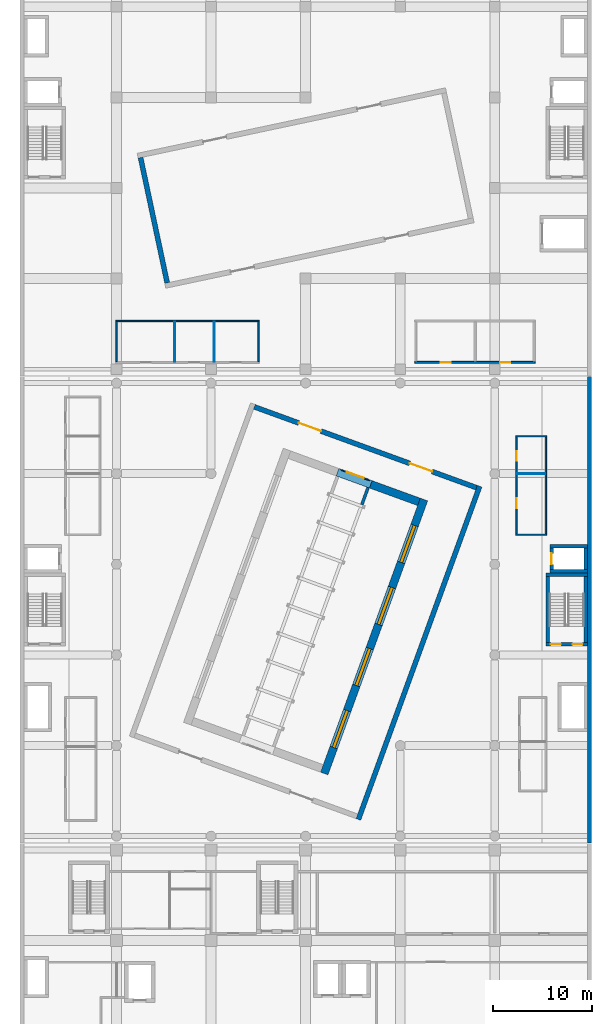
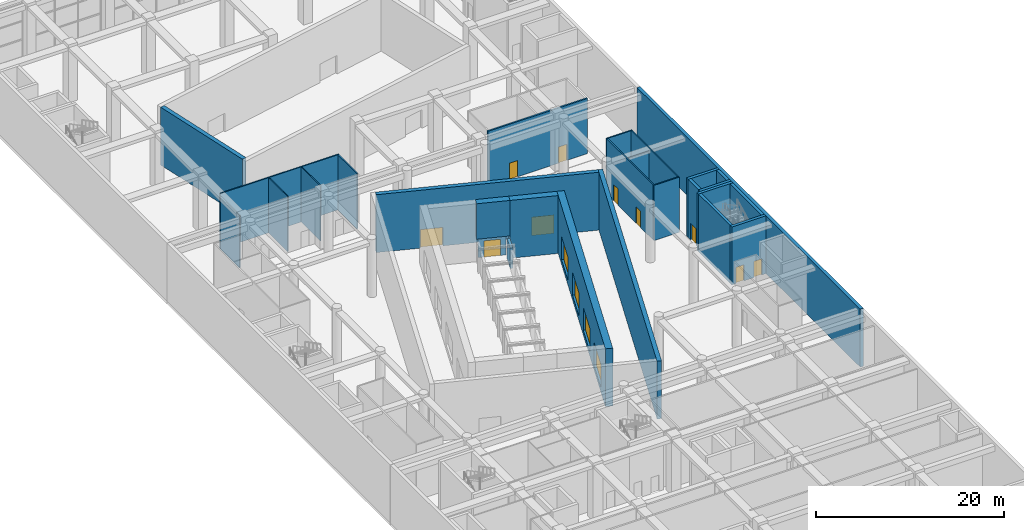
# One storey, part 18 of 36: 28 walls, 10 doors, 4 windows, 14 openings.
"""IFC4 building model written with IfcOpenShell, lengths in metres."""

import ifcopenshell
import ifcopenshell.guid

model = None  # the IFC model being written
_history = None  # IfcOwnerHistory: only IFC2X3 demands one
_inside = {}  # id of a spatial element -> (the spatial element, [elements in it])
_under = {}  # id of a project, library or spatial element -> (it, [spatial elements below it])
_declared = {}  # id of a project -> (the project, [libraries it declares])
_typed = {}  # id of a type object -> (the type object, [elements of that type])
_made_of = {}  # id of a material, layer set ... -> (it, [elements and type objects made of it])


def new_model(schema):
    """Start an empty IFC model of exactly this schema.

    Asked for "IFC4X3", IfcOpenShell would pick the latest addendum, in which some entities
    have other attributes; the version numbers below select the first issue.
    IFC2X3 requires an IfcOwnerHistory on every rooted entity: one is made here for all.
    """
    global model, _history
    if schema == "IFC4X3":
        model = ifcopenshell.file(schema_version=(4, 3, 0, 0))
    else:
        model = ifcopenshell.file(schema=schema)
    _inside.clear()
    _under.clear()
    _declared.clear()
    _typed.clear()
    _made_of.clear()
    _history = None
    if model.schema == "IFC2X3":
        org = make("IfcOrganization", Name="unknown")
        user = make(
            "IfcPersonAndOrganization",
            ThePerson=make("IfcPerson", FamilyName="unknown"),
            TheOrganization=org,
        )
        app = make(
            "IfcApplication",
            ApplicationDeveloper=org,
            Version="unknown",
            ApplicationFullName="unknown",
            ApplicationIdentifier="unknown",
        )
        _history = make(
            "IfcOwnerHistory",
            OwningUser=user,
            OwningApplication=app,
            ChangeAction="ADDED",
            CreationDate=0,
        )
    return model


def make(cls, **values):
    """One entity of the class cls with the attributes given. An attribute that is None is left unset."""
    return model.create_entity(
        cls, **{name: value for name, value in values.items() if value is not None}
    )


def rooted(cls, **values):
    """An entity with a GlobalId (a new one), such as an element, a storey or a relation."""
    return make(cls, GlobalId=ifcopenshell.guid.new(), OwnerHistory=_history, **values)


def si_unit(unit_type, name, prefix=None):
    """IfcSIUnit, for example si_unit("LENGTHUNIT", "METRE", prefix="MILLI")."""
    return make("IfcSIUnit", UnitType=unit_type, Prefix=prefix, Name=name)


def assignment(units):
    """IfcUnitAssignment: the units of a project."""
    return None if units is None else make("IfcUnitAssignment", Units=units)


def point(xyz):
    """IfcCartesianPoint."""
    return None if xyz is None else make("IfcCartesianPoint", Coordinates=xyz)


def direction(xyz):
    """IfcDirection."""
    return None if xyz is None else make("IfcDirection", DirectionRatios=xyz)


def frame(location, z_axis=None, x_axis=None):
    """IfcAxis2Placement3D, a coordinate frame: its origin and axes. An axis left out is left unset."""
    return make(
        "IfcAxis2Placement3D",
        Location=point(location),
        Axis=direction(z_axis),
        RefDirection=direction(x_axis),
    )


def frame_2d(location, x_axis=None):
    """IfcAxis2Placement2D, a coordinate frame in the plane: its origin and x axis."""
    return make(
        "IfcAxis2Placement2D", Location=point(location), RefDirection=direction(x_axis)
    )


def origin():
    """The frame at (0, 0, 0) with its axes left unset."""
    return frame((0.0, 0.0, 0.0))


def place(relative_to, where):
    """IfcLocalPlacement: puts the frame where relative to a parent placement (None: the world)."""
    return make(
        "IfcLocalPlacement", PlacementRelTo=relative_to, RelativePlacement=where
    )


def context(
    kind, dimensions, precision=None, world=None, true_north=None, identifier=None
):
    """IfcGeometricRepresentationContext, for example the 3D "Model" context."""
    return make(
        "IfcGeometricRepresentationContext",
        ContextIdentifier=identifier,
        ContextType=kind,
        CoordinateSpaceDimension=dimensions,
        Precision=precision,
        WorldCoordinateSystem=world,
        TrueNorth=true_north,
    )


def subcontext(parent, identifier, kind, view, scale=None):
    """IfcGeometricRepresentationSubContext, for example "Body" below "Model"."""
    return make(
        "IfcGeometricRepresentationSubContext",
        ContextIdentifier=identifier,
        ContextType=kind,
        ParentContext=parent,
        TargetScale=scale,
        TargetView=view,
    )


def project(units=None, contexts=None):
    """IfcProject with its units and contexts."""
    return rooted(
        "IfcProject",
        Name="project",
        RepresentationContexts=contexts,
        UnitsInContext=assignment(units),
    )


def spatial(cls, under=None, at=None, **own):
    """A site, building, storey or space (cls), placed at a placement, below another one or the project."""
    s = rooted(cls, ObjectPlacement=at, **own)
    if under is not None:
        _under.setdefault(under.id(), (under, []))[1].append(s)
    return s


def profile(cls, at=None, kind="AREA", **sizes):
    """A parametric profile (cls). Its sizes go by their IFC names, for example OverallWidth=200.0."""
    return make(cls, ProfileType=kind, Position=at, **sizes)


def rectangle(**sizes):
    """IfcRectangleProfileDef."""
    return profile("IfcRectangleProfileDef", **sizes)


def extrude(swept, where, along, depth):
    """IfcExtrudedAreaSolid: the profile swept, set in the frame where, extruded along a direction by depth."""
    return make(
        "IfcExtrudedAreaSolid",
        SweptArea=swept,
        Position=where,
        ExtrudedDirection=direction(along),
        Depth=depth,
    )


def shape(context_of_items, identifier, shape_type, items):
    """IfcShapeRepresentation: the items that make up one representation, for example the "Body"."""
    return make(
        "IfcShapeRepresentation",
        ContextOfItems=context_of_items,
        RepresentationIdentifier=identifier,
        RepresentationType=shape_type,
        Items=items,
    )


def material(Name=None, Category=None):
    """IfcMaterial."""
    return make("IfcMaterial", Name=Name, Category=Category)


def layer(
    of_material, thickness, ventilated=None, Name=None, Category=None, Priority=None
):
    """IfcMaterialLayer: one layer of a wall or slab, of a material (None: an air gap)."""
    return make(
        "IfcMaterialLayer",
        Material=of_material,
        LayerThickness=thickness,
        IsVentilated=ventilated,
        Name=Name,
        Category=Category,
        Priority=Priority,
    )


def layer_set(layers, Name=None):
    """IfcMaterialLayerSet."""
    return make("IfcMaterialLayerSet", MaterialLayers=layers, LayerSetName=Name)


def made_of(thing, what):
    """Note that an element or type object is made of a material, layer set ...; save() writes the relation."""
    if what is not None:
        _made_of.setdefault(what.id(), (what, []))[1].append(thing)
    return thing


def type_object(cls, material=None, **own):
    """A type object (cls), such as IfcWallType, which elements share."""
    return made_of(rooted(cls, **own), material)


def element(
    cls,
    number,
    at=None,
    inside=None,
    cuts=None,
    type_object=None,
    material=None,
    context=None,
    identifier="Body",
    shape_type=None,
    held_by="IfcProductDefinitionShape",
    body=None,
    shapes=None,
    **own,
):
    """One element of the class cls, such as IfcWall. Its Tag is "e" and its number.

    at: its placement. inside: the storey or other place that contains it. cuts: it is an
    opening in that element (IfcRelVoidsElement). A single representation is given by context,
    identifier, shape_type and body (its items); several are given by shapes. held_by: the class
    of the entity that holds the representations. save() writes the other relations.
    """
    e = rooted(cls, Tag="e%d" % number, ObjectPlacement=at, **own)
    if body is not None:
        shapes = [shape(context, identifier, shape_type, body)]
    if shapes is not None:
        e.Representation = make(held_by, Representations=shapes)
    if inside is not None:
        _inside.setdefault(inside.id(), (inside, []))[1].append(e)
    if cuts is not None:
        rooted(
            "IfcRelVoidsElement", RelatingBuildingElement=cuts, RelatedOpeningElement=e
        )
    if type_object is not None:
        _typed.setdefault(type_object.id(), (type_object, []))[1].append(e)
    return made_of(e, material)


def fill(opening, filler):
    """IfcRelFillsElement: the door or window that sits in an opening."""
    return rooted(
        "IfcRelFillsElement",
        RelatingOpeningElement=opening,
        RelatedBuildingElement=filler,
    )


def aggregate(whole, parts):
    """IfcRelAggregates: a whole, such as a stair, and the parts it consists of."""
    return rooted("IfcRelAggregates", RelatingObject=whole, RelatedObjects=parts)


def save(model, path):
    """Write the relations noted so far, then the file.

    IfcRelAggregates (storeys below a building ...), IfcRelContainedInSpatialStructure (elements
    in a storey), IfcRelDefinesByType, IfcRelAssociatesMaterial and IfcRelDeclares: one each for
    every whole, place, type object, material and project.
    """
    for whole, parts in _under.values():
        aggregate(whole, parts)
    for where, things in _inside.values():
        rooted(
            "IfcRelContainedInSpatialStructure",
            RelatedElements=things,
            RelatingStructure=where,
        )
    for kind, things in _typed.values():
        rooted("IfcRelDefinesByType", RelatedObjects=things, RelatingType=kind)
    for what, things in _made_of.values():
        rooted("IfcRelAssociatesMaterial", RelatedObjects=things, RelatingMaterial=what)
    for by, libraries in _declared.values():
        rooted("IfcRelDeclares", RelatingContext=by, RelatedDefinitions=libraries)
    model.write(path)


model = new_model("IFC4")

# Units and contexts
model_context = context("Model", 3, precision=1e-05, world=origin(), true_north=direction((0.0, 1.0)))
body_context = subcontext(model_context, "Body", "Model", "MODEL_VIEW")
ifc_project = project(units=[si_unit("LENGTHUNIT", "METRE"), si_unit("AREAUNIT", "SQUARE_METRE"), si_unit("VOLUMEUNIT", "CUBIC_METRE"), si_unit("PLANEANGLEUNIT", "RADIAN"), si_unit("MASSUNIT", "GRAM", prefix="KILO")], contexts=[model_context])

# Site, building, storey
site_placement = place(None, origin())
site = spatial("IfcSite", under=ifc_project, at=site_placement, CompositionType="ELEMENT")
building_placement = place(site_placement, origin())
building = spatial("IfcBuilding", under=site, at=building_placement, Name="Nzadi Deep Aquarium and Research Tower", CompositionType="ELEMENT")
storey_placement = place(building_placement, frame((0.0, 0.0, 14.199951171875)))
storey = spatial("IfcBuildingStorey", under=building, at=storey_placement, Name="L02", CompositionType="ELEMENT", Elevation=14.199951171875)

# Wall
ifc_material_1 = material(Name="Blockwork masonry", Category="masonry")
ifc_layer_1 = layer(ifc_material_1, 0.10009765625)
ifc_layer_set_1 = layer_set([ifc_layer_1], Name="Blockwork masonry")
wall_type_1 = type_object("IfcWallType", Name="Partition 100 EI 30", PredefinedType="PARTITIONING", material=ifc_layer_set_1)
wall_1_placement = place(storey_placement, frame((50.27490234375, 84.199951171875, 0.0), z_axis=(0.0, 0.0, 1.0), x_axis=(1.0, 0.0, 0.0)))
element("IfcWall", 1, at=wall_1_placement, inside=storey, type_object=wall_type_1, Name="W-Z2-L02-P015", PredefinedType="PARTITIONING", context=body_context, shape_type="SweptSolid", body=[
    extrude(rectangle(XDim=2.85009765625, YDim=0.10009765625, at=frame_2d((1.425048828125, 0.0))), origin(), (0.0, 0.0, 1.0), 6.75),
])

# Wall, opening, door
ifc_material_2 = material(Name="Blockwork masonry", Category="masonry")
ifc_layer_2 = layer(ifc_material_2, 0.10009765625)
ifc_layer_set_2 = layer_set([ifc_layer_2], Name="Blockwork masonry")
wall_type_2 = type_object("IfcWallType", Name="Partition 100 EI 30, 2.60 m high", PredefinedType="PARTITIONING", material=ifc_layer_set_2)
wall_2_placement = place(storey_placement, frame((32.435302734375, 84.573486328125, 0.0), z_axis=(0.0, 0.0, 1.0), x_axis=(0.939686455819, -0.342037080957, 0.0)))
wall_2 = element("IfcWall", 2, at=wall_2_placement, inside=storey, type_object=wall_type_2, Name="W-Z2-L02-TUNN", PredefinedType="PARTITIONING", context=body_context, shape_type="SweptSolid", body=[
    extrude(rectangle(XDim=3.0, YDim=0.10009765625, at=frame_2d((1.5, 0.0))), origin(), (0.0, 0.0, 1.0), 2.60009765625),
])
opening_1_placement = place(wall_2_placement, frame((0.60009765625, 0.0, 0.0)))
opening_1 = element("IfcOpeningElement", 3, at=opening_1_placement, cuts=wall_2, Name="Opening D032011", PredefinedType="OPENING", context=body_context, shape_type="SweptSolid", body=[
    extrude(rectangle(XDim=1.800048828125, YDim=2.10009765625, at=frame_2d((0.89990234375, 1.050048828125))), frame((0.0, 0.06005859375, 0.0), z_axis=(0.0, -1.0, 0.0), x_axis=(1.0, 0.0, 0.0)), (0.0, 0.0, 1.0), 0.1201171875),
])
ifc_material_3 = material(Name="Fire-rated steel door", Category="steel")
ifc_layer_3 = layer(ifc_material_3, 0.050048828125)
ifc_layer_set_3 = layer_set([ifc_layer_3], Name="Fire-rated steel door")
door_type_1 = type_object("IfcDoorType", Name="Door 1800x2100 EI 30 double", OperationType="DOUBLE_DOOR_SINGLE_SWING", PredefinedType="DOOR", material=ifc_layer_set_3)
door_1_placement = place(opening_1_placement, origin())
door_1 = element("IfcDoor", 4, at=door_1_placement, inside=storey, type_object=door_type_1, Name="D032011", OperationType="DOUBLE_DOOR_SINGLE_SWING", OverallHeight=2.10009765625, OverallWidth=1.800048828125, PredefinedType="DOOR", context=body_context, shape_type="SweptSolid", body=[
    extrude(rectangle(XDim=1.800048828125, YDim=2.10009765625, at=frame_2d((0.89990234375, 1.050048828125))), frame((0.0, 0.02490234375, 0.0), z_axis=(0.0, -1.0, 0.0), x_axis=(1.0, 0.0, 0.0)), (0.0, 0.0, 1.0), 0.050048828125),
])
fill(opening_1, door_1)

# Walls
ifc_material_4 = material(Name="Blockwork masonry", Category="masonry")
ifc_layer_4 = layer(ifc_material_4, 0.10009765625)
ifc_layer_set_4 = layer_set([ifc_layer_4], Name="Blockwork masonry")
wall_type_3 = type_object("IfcWallType", Name="Partition 100 EI 30, 7.15 m high", PredefinedType="PARTITIONING", material=ifc_layer_set_4)
for number, where, z_axis, x_axis, name in (
    (5, (15.5, 95.574951171875, 0.0), (0.0, 0.0, 1.0), (0.0, 1.0, 0.0), "W-Z3-L02-P004"),
    (6, (19.5, 95.574951171875, 0.0), (0.0, 0.0, 1.0), (0.0, 1.0, 0.0), "W-Z3-L02-P005"),
):
    element("IfcWall", number, at=place(storey_placement, frame(where, z_axis=z_axis, x_axis=x_axis)), inside=storey, type_object=wall_type_3, Name=name, PredefinedType="PARTITIONING", context=body_context, shape_type="SweptSolid", body=[
        extrude(rectangle(XDim=4.050048828125, YDim=0.10009765625, at=frame_2d((2.02490234375, 0.0))), origin(), (0.0, 0.0, 1.0), 7.150146484375),
    ])
ifc_material_5 = material(Name="Blockwork masonry", Category="masonry")
ifc_layer_5 = layer(ifc_material_5, 0.14990234375)
ifc_layer_set_5 = layer_set([ifc_layer_5], Name="Blockwork masonry")
wall_type_4 = type_object("IfcWallType", Name="Partition 150 EI 60", PredefinedType="PARTITIONING", material=ifc_layer_set_5)
wall_3_placement = place(storey_placement, frame((9.52490234375, 99.699951171875, 0.0), z_axis=(0.0, 0.0, 1.0), x_axis=(1.0, 0.0, 0.0)))
element("IfcWall", 7, at=wall_3_placement, inside=storey, type_object=wall_type_4, Name="W-Z3-L02-P003", PredefinedType="PARTITIONING", context=body_context, shape_type="SweptSolid", body=[
    extrude(rectangle(XDim=14.550048828125, YDim=0.14990234375, at=frame_2d((7.27490234375, 0.0))), origin(), (0.0, 0.0, 1.0), 7.150146484375),
])
wall_4_placement = place(storey_placement, frame((24.0, 95.574951171875, 0.0), z_axis=(0.0, 0.0, 1.0), x_axis=(0.0, 1.0, 0.0)))
element("IfcWall", 8, at=wall_4_placement, inside=storey, type_object=wall_type_4, Name="W-Z3-L02-P006", PredefinedType="PARTITIONING", context=body_context, shape_type="SweptSolid", body=[
    extrude(rectangle(XDim=4.050048828125, YDim=0.14990234375, at=frame_2d((2.02490234375, 0.0))), origin(), (0.0, 0.0, 1.0), 7.150146484375),
])
wall_5_placement = place(storey_placement, frame((50.125, 78.0, 0.0), z_axis=(0.0, 0.0, 1.0), x_axis=(1.0, 0.0, 0.0)))
element("IfcWall", 9, at=wall_5_placement, inside=storey, type_object=wall_type_4, Name="W-Z2-L02-P012", PredefinedType="PARTITIONING", context=body_context, shape_type="SweptSolid", body=[
    extrude(rectangle(XDim=3.14990234375, YDim=0.14990234375, at=frame_2d((1.574951171875, 0.0))), origin(), (0.0, 0.0, 1.0), 7.150146484375),
])

# Wall, openings, doors
wall_6_placement = place(storey_placement, frame((50.199951171875, 78.074951171875, 0.0), z_axis=(0.0, 0.0, 1.0), x_axis=(0.0, 1.0, 0.0)))
wall_6 = element("IfcWall", 10, at=wall_6_placement, inside=storey, type_object=wall_type_4, Name="W-Z2-L02-P013", PredefinedType="PARTITIONING", context=body_context, shape_type="SweptSolid", body=[
    extrude(rectangle(XDim=9.85009765625, YDim=0.14990234375, at=frame_2d((4.925048828125, 0.0))), origin(), (0.0, 0.0, 1.0), 7.150146484375),
])
opening_2_placement = place(wall_6_placement, frame((2.635009765625, 0.0, 0.0)))
opening_2 = element("IfcOpeningElement", 11, at=opening_2_placement, cuts=wall_6, Name="Opening D032007", PredefinedType="OPENING", context=body_context, shape_type="SweptSolid", body=[
    extrude(rectangle(XDim=1.0, YDim=2.10009765625, at=frame_2d((0.5, 1.050048828125))), frame((0.0, 0.0849609375, 0.0), z_axis=(0.0, -1.0, 0.0), x_axis=(1.0, 0.0, 0.0)), (0.0, 0.0, 1.0), 0.169921875),
])
opening_3_placement = place(wall_6_placement, frame((7.4150390625, 0.0, 0.0)))
opening_3 = element("IfcOpeningElement", 12, at=opening_3_placement, cuts=wall_6, Name="Opening D032008", PredefinedType="OPENING", context=body_context, shape_type="SweptSolid", body=[
    extrude(rectangle(XDim=1.0, YDim=2.10009765625, at=frame_2d((0.5, 1.050048828125))), frame((0.0, 0.0849609375, 0.0), z_axis=(0.0, -1.0, 0.0), x_axis=(1.0, 0.0, 0.0)), (0.0, 0.0, 1.0), 0.169921875),
])
ifc_material_6 = material(Name="Fire-rated steel door", Category="steel")
ifc_layer_6 = layer(ifc_material_6, 0.050048828125)
ifc_layer_set_6 = layer_set([ifc_layer_6], Name="Fire-rated steel door")
door_type_2 = type_object("IfcDoorType", Name="Door 1000x2100 EI 60 single", OperationType="SINGLE_SWING_LEFT", PredefinedType="DOOR", material=ifc_layer_set_6)
door_2_placement = place(opening_2_placement, origin())
door_2 = element("IfcDoor", 13, at=door_2_placement, inside=storey, type_object=door_type_2, Name="D032007", OperationType="SINGLE_SWING_RIGHT", OverallHeight=2.10009765625, OverallWidth=1.0, PredefinedType="DOOR", context=body_context, shape_type="SweptSolid", body=[
    extrude(rectangle(XDim=1.0, YDim=2.10009765625, at=frame_2d((0.5, 1.050048828125))), frame((0.0, 0.02490234375, 0.0), z_axis=(0.0, -1.0, 0.0), x_axis=(1.0, 0.0, 0.0)), (0.0, 0.0, 1.0), 0.050048828125),
])
fill(opening_2, door_2)
door_3_placement = place(opening_3_placement, origin())
door_3 = element("IfcDoor", 14, at=door_3_placement, inside=storey, type_object=door_type_2, Name="D032008", OperationType="SINGLE_SWING_LEFT", OverallHeight=2.10009765625, OverallWidth=1.0, PredefinedType="DOOR", context=body_context, shape_type="SweptSolid", body=[
    extrude(rectangle(XDim=1.0, YDim=2.10009765625, at=frame_2d((0.5, 1.050048828125))), frame((0.0, 0.02490234375, 0.0), z_axis=(0.0, -1.0, 0.0), x_axis=(1.0, 0.0, 0.0)), (0.0, 0.0, 1.0), 0.050048828125),
])
fill(opening_3, door_3)

# Walls
wall_7_placement = place(storey_placement, frame((50.125, 88.0, 0.0), z_axis=(0.0, 0.0, 1.0), x_axis=(1.0, 0.0, 0.0)))
element("IfcWall", 15, at=wall_7_placement, inside=storey, type_object=wall_type_4, Name="W-Z2-L02-P014", PredefinedType="PARTITIONING", context=body_context, shape_type="SweptSolid", body=[
    extrude(rectangle(XDim=3.14990234375, YDim=0.14990234375, at=frame_2d((1.574951171875, 0.0))), origin(), (0.0, 0.0, 1.0), 7.150146484375),
])
wall_8_placement = place(storey_placement, frame((53.199951171875, 78.074951171875, 0.0), z_axis=(0.0, 0.0, 1.0), x_axis=(0.0, 1.0, 0.0)))
element("IfcWall", 16, at=wall_8_placement, inside=storey, type_object=wall_type_4, Name="W-Z2-L02-P021", PredefinedType="PARTITIONING", context=body_context, shape_type="SweptSolid", body=[
    extrude(rectangle(XDim=9.85009765625, YDim=0.14990234375, at=frame_2d((4.925048828125, 0.0))), origin(), (0.0, 0.0, 1.0), 7.150146484375),
])
ifc_material_7 = material(Name="Blockwork masonry", Category="masonry")
ifc_layer_7 = layer(ifc_material_7, 0.14990234375)
ifc_layer_set_7 = layer_set([ifc_layer_7], Name="Blockwork masonry")
wall_type_5 = type_object("IfcWallType", Name="Partition 150 EI 60, 6.75 m high", PredefinedType="PARTITIONING", material=ifc_layer_set_7)
wall_9_placement = place(storey_placement, frame((9.60009765625, 95.574951171875, 0.0), z_axis=(0.0, 0.0, 1.0), x_axis=(0.0, 1.0, 0.0)))
element("IfcWall", 17, at=wall_9_placement, inside=storey, type_object=wall_type_5, Name="W-Z3-L02-P002", PredefinedType="PARTITIONING", context=body_context, shape_type="SweptSolid", body=[
    extrude(rectangle(XDim=4.050048828125, YDim=0.14990234375, at=frame_2d((2.02490234375, 0.0))), origin(), (0.0, 0.0, 1.0), 6.75),
])

# Wall, openings, doors
ifc_material_8 = material(Name="Blockwork masonry", Category="masonry")
ifc_layer_8 = layer(ifc_material_8, 0.199951171875)
ifc_layer_set_8 = layer_set([ifc_layer_8], Name="Blockwork masonry")
wall_type_6 = type_object("IfcWallType", Name="Partition 200 EI 120", PredefinedType="PARTITIONING", material=ifc_layer_set_8)
wall_10_placement = place(storey_placement, frame((39.89990234375, 95.5, 0.0), z_axis=(0.0, 0.0, 1.0), x_axis=(1.0, 0.0, 0.0)))
wall_10 = element("IfcWall", 18, at=wall_10_placement, inside=storey, type_object=wall_type_6, Name="W-Z3-L02-P007", PredefinedType="PARTITIONING", context=body_context, shape_type="SweptSolid", body=[
    extrude(rectangle(XDim=12.2001953125, YDim=0.199951171875, at=frame_2d((6.10009765625, 0.0))), origin(), (0.0, 0.0, 1.0), 7.150146484375),
])
opening_4_placement = place(wall_10_placement, frame((2.635009765625, 0.0, 0.0)))
opening_4 = element("IfcOpeningElement", 19, at=opening_4_placement, cuts=wall_10, Name="Opening D033004", PredefinedType="OPENING", context=body_context, shape_type="SweptSolid", body=[
    extrude(rectangle(XDim=1.0, YDim=2.10009765625, at=frame_2d((0.5, 1.050048828125))), frame((0.0, 0.110107421875, 0.0), z_axis=(0.0, -1.0, 0.0), x_axis=(1.0, 0.0, 0.0)), (0.0, 0.0, 1.0), 0.22021484375),
])
opening_5_placement = place(wall_10_placement, frame((8.6650390625, 0.0, 0.0)))
opening_5 = element("IfcOpeningElement", 20, at=opening_5_placement, cuts=wall_10, Name="Opening D033005", PredefinedType="OPENING", context=body_context, shape_type="SweptSolid", body=[
    extrude(rectangle(XDim=1.0, YDim=2.10009765625, at=frame_2d((0.5, 1.050048828125))), frame((0.0, 0.110107421875, 0.0), z_axis=(0.0, -1.0, 0.0), x_axis=(1.0, 0.0, 0.0)), (0.0, 0.0, 1.0), 0.22021484375),
])
ifc_material_9 = material(Name="Fire-rated steel door", Category="steel")
ifc_layer_9 = layer(ifc_material_9, 0.050048828125)
ifc_layer_set_9 = layer_set([ifc_layer_9], Name="Fire-rated steel door")
door_type_3 = type_object("IfcDoorType", Name="Door 1000x2100 EI 120 single", OperationType="SINGLE_SWING_LEFT", PredefinedType="DOOR", material=ifc_layer_set_9)
door_4_placement = place(opening_4_placement, origin())
door_4 = element("IfcDoor", 21, at=door_4_placement, inside=storey, type_object=door_type_3, Name="D033004", OperationType="SINGLE_SWING_LEFT", OverallHeight=2.10009765625, OverallWidth=1.0, PredefinedType="DOOR", context=body_context, shape_type="SweptSolid", body=[
    extrude(rectangle(XDim=1.0, YDim=2.10009765625, at=frame_2d((0.5, 1.050048828125))), frame((0.0, 0.02490234375, 0.0), z_axis=(0.0, -1.0, 0.0), x_axis=(1.0, 0.0, 0.0)), (0.0, 0.0, 1.0), 0.050048828125),
])
fill(opening_4, door_4)
door_5_placement = place(opening_5_placement, origin())
door_5 = element("IfcDoor", 22, at=door_5_placement, inside=storey, type_object=door_type_3, Name="D033005", OperationType="SINGLE_SWING_RIGHT", OverallHeight=2.10009765625, OverallWidth=1.0, PredefinedType="DOOR", context=body_context, shape_type="SweptSolid", body=[
    extrude(rectangle(XDim=1.0, YDim=2.10009765625, at=frame_2d((0.5, 1.050048828125))), frame((0.0, 0.02490234375, 0.0), z_axis=(0.0, -1.0, 0.0), x_axis=(1.0, 0.0, 0.0)), (0.0, 0.0, 1.0), 0.050048828125),
])
fill(opening_5, door_5)

ifc_material_10 = material(Name="Concrete C35/45", Category="concrete")
ifc_layer_10 = layer(ifc_material_10, 0.35009765625)
ifc_layer_set_10 = layer_set([ifc_layer_10], Name="Concrete C35/45")
wall_type_7 = type_object("IfcWallType", Name="RC core wall 350, 7.50 to 7.70 m high", PredefinedType="SHEAR", material=ifc_layer_set_10)
wall_11_placement = place(storey_placement, frame((53.199951171875, 66.875, 0.0), z_axis=(0.0, 0.0, 1.0), x_axis=(1.0, 0.0, 0.0)))
wall_11 = element("IfcWall", 23, at=wall_11_placement, inside=storey, type_object=wall_type_7, Name="W-CORE-ST-Z2-E-L02-S", PredefinedType="SHEAR", context=body_context, shape_type="SweptSolid", body=[
    extrude(rectangle(XDim=4.199951171875, YDim=0.35009765625, at=frame_2d((2.10009765625, 0.0))), origin(), (0.0, 0.0, 1.0), 7.5),
])
opening_6_placement = place(wall_11_placement, frame((0.5, 0.0, 0.0)))
opening_6 = element("IfcOpeningElement", 24, at=opening_6_placement, cuts=wall_11, Name="Opening DS-Z2-E-L02A", PredefinedType="OPENING", context=body_context, shape_type="SweptSolid", body=[
    extrude(rectangle(XDim=1.0, YDim=2.10009765625, at=frame_2d((0.5, 1.050048828125))), frame((0.0, 0.18505859375, 0.0), z_axis=(0.0, -1.0, 0.0), x_axis=(1.0, 0.0, 0.0)), (0.0, 0.0, 1.0), 0.3701171875),
])
opening_7_placement = place(wall_11_placement, frame((2.699951171875, 0.0, 0.0)))
opening_7 = element("IfcOpeningElement", 25, at=opening_7_placement, cuts=wall_11, Name="Opening DS-Z2-E-L02B", PredefinedType="OPENING", context=body_context, shape_type="SweptSolid", body=[
    extrude(rectangle(XDim=1.0, YDim=2.10009765625, at=frame_2d((0.5, 1.050048828125))), frame((0.0, 0.18505859375, 0.0), z_axis=(0.0, -1.0, 0.0), x_axis=(1.0, 0.0, 0.0)), (0.0, 0.0, 1.0), 0.3701171875),
])
ifc_material_11 = material(Name="Steel, powder coated", Category="steel")
door_type_4 = type_object("IfcDoorType", Name="STAIR DOOR 1000x2100 EI 60", OperationType="SINGLE_SWING_LEFT", PredefinedType="DOOR", material=ifc_material_11)
door_6_placement = place(opening_6_placement, origin())
door_6 = element("IfcDoor", 26, at=door_6_placement, inside=storey, type_object=door_type_4, Name="Stair door ST-Z2-E L02 A", OperationType="SINGLE_SWING_RIGHT", OverallHeight=2.10009765625, OverallWidth=1.0, PredefinedType="DOOR", context=body_context, shape_type="SweptSolid", body=[
    extrude(rectangle(XDim=1.0, YDim=2.10009765625, at=frame_2d((0.5, 1.050048828125))), frame((0.0, 0.02490234375, 0.0), z_axis=(0.0, -1.0, 0.0), x_axis=(1.0, 0.0, 0.0)), (0.0, 0.0, 1.0), 0.050048828125),
])
fill(opening_6, door_6)
door_7_placement = place(opening_7_placement, origin())
door_7 = element("IfcDoor", 27, at=door_7_placement, inside=storey, type_object=door_type_4, Name="Stair door ST-Z2-E L02 B", OperationType="SINGLE_SWING_LEFT", OverallHeight=2.10009765625, OverallWidth=1.0, PredefinedType="DOOR", context=body_context, shape_type="SweptSolid", body=[
    extrude(rectangle(XDim=1.0, YDim=2.10009765625, at=frame_2d((0.5, 1.050048828125))), frame((0.0, 0.02490234375, 0.0), z_axis=(0.0, -1.0, 0.0), x_axis=(1.0, 0.0, 0.0)), (0.0, 0.0, 1.0), 0.050048828125),
])
fill(opening_7, door_7)

# Walls
wall_12_placement = place(storey_placement, frame((53.199951171875, 73.925048828125, 0.0), z_axis=(0.0, 0.0, 1.0), x_axis=(1.0, 0.0, 0.0)))
element("IfcWall", 28, at=wall_12_placement, inside=storey, type_object=wall_type_7, Name="W-CORE-ST-Z2-E-L02-N", PredefinedType="SHEAR", context=body_context, shape_type="SweptSolid", body=[
    extrude(rectangle(XDim=4.199951171875, YDim=0.35009765625, at=frame_2d((2.10009765625, 0.0))), origin(), (0.0, 0.0, 1.0), 7.5),
])
for number, where, z_axis, x_axis, name in (
    (29, (53.375, 67.050048828125, 0.0), (0.0, 0.0, 1.0), (0.0, 1.0, 0.0), "W-CORE-ST-Z2-E-L02-W"),
    (30, (57.22509765625, 67.050048828125, 0.0), (0.0, 0.0, 1.0), (0.0, 1.0, 0.0), "W-CORE-ST-Z2-E-L02-E"),
):
    element("IfcWall", number, at=place(storey_placement, frame(where, z_axis=z_axis, x_axis=x_axis)), inside=storey, type_object=wall_type_7, Name=name, PredefinedType="SHEAR", context=body_context, shape_type="SweptSolid", body=[
        extrude(rectangle(XDim=6.699951171875, YDim=0.35009765625, at=frame_2d((3.35009765625, 0.0))), origin(), (0.0, 0.0, 1.0), 7.5),
    ])
for number, where, z_axis, x_axis, name in (
    (31, (53.60009765625, 74.27490234375, 0.0), (0.0, 0.0, 1.0), (1.0, 0.0, 0.0), "W-CORE-PL4-L02-S"),
    (32, (53.60009765625, 76.824951171875, 0.0), (0.0, 0.0, 1.0), (1.0, 0.0, 0.0), "W-CORE-PL4-L02-N"),
):
    element("IfcWall", number, at=place(storey_placement, frame(where, z_axis=z_axis, x_axis=x_axis)), inside=storey, type_object=wall_type_7, Name=name, PredefinedType="SHEAR", context=body_context, shape_type="SweptSolid", body=[
        extrude(rectangle(XDim=3.7998046875, YDim=0.35009765625, at=frame_2d((1.89990234375, 0.0))), origin(), (0.0, 0.0, 1.0), 7.5),
    ])

# Wall, opening, door
wall_13_placement = place(storey_placement, frame((53.77490234375, 74.449951171875, 0.0), z_axis=(0.0, 0.0, 1.0), x_axis=(0.0, 1.0, 0.0)))
wall_13 = element("IfcWall", 33, at=wall_13_placement, inside=storey, type_object=wall_type_7, Name="W-CORE-PL4-L02-W", PredefinedType="SHEAR", context=body_context, shape_type="SweptSolid", body=[
    extrude(rectangle(XDim=2.199951171875, YDim=0.35009765625, at=frame_2d((1.10009765625, 0.0))), origin(), (0.0, 0.0, 1.0), 7.5),
])
opening_8_placement = place(wall_13_placement, frame((0.550048828125, 0.0, 0.0)))
opening_8 = element("IfcOpeningElement", 34, at=opening_8_placement, cuts=wall_13, Name="Opening LD-PL4-L02", PredefinedType="OPENING", context=body_context, shape_type="SweptSolid", body=[
    extrude(rectangle(XDim=1.10009765625, YDim=2.10009765625, at=frame_2d((0.550048828125, 1.050048828125))), frame((0.0, 0.18505859375, 0.0), z_axis=(0.0, -1.0, 0.0), x_axis=(1.0, 0.0, 0.0)), (0.0, 0.0, 1.0), 0.3701171875),
])
ifc_material_12 = material(Name="Stainless steel 1.4301", Category="steel")
door_type_5 = type_object("IfcDoorType", Name="LANDING DOOR 1100x2100", OperationType="DOUBLE_DOOR_SLIDING", PredefinedType="DOOR", material=ifc_material_12)
door_8_placement = place(opening_8_placement, origin())
door_8 = element("IfcDoor", 35, at=door_8_placement, inside=storey, type_object=door_type_5, Name="Landing door PL4 L02", OperationType="DOUBLE_DOOR_SLIDING", OverallHeight=2.10009765625, OverallWidth=1.10009765625, PredefinedType="DOOR", context=body_context, shape_type="SweptSolid", body=[
    extrude(rectangle(XDim=1.10009765625, YDim=2.10009765625, at=frame_2d((0.550048828125, 1.050048828125))), frame((0.0, 0.02490234375, 0.0), z_axis=(0.0, -1.0, 0.0), x_axis=(1.0, 0.0, 0.0)), (0.0, 0.0, 1.0), 0.050048828125),
])
fill(opening_8, door_8)

# Walls
wall_14_placement = place(storey_placement, frame((57.22509765625, 74.449951171875, 0.0), z_axis=(0.0, 0.0, 1.0), x_axis=(0.0, 1.0, 0.0)))
element("IfcWall", 36, at=wall_14_placement, inside=storey, type_object=wall_type_7, Name="W-CORE-PL4-L02-E", PredefinedType="SHEAR", context=body_context, shape_type="SweptSolid", body=[
    extrude(rectangle(XDim=2.199951171875, YDim=0.35009765625, at=frame_2d((1.10009765625, 0.0))), origin(), (0.0, 0.0, 1.0), 7.5),
])
ifc_material_13 = material(Name="Concrete C35/45", Category="concrete")
ifc_layer_11 = layer(ifc_material_13, 0.5)
ifc_layer_set_11 = layer_set([ifc_layer_11], Name="Concrete C35/45")
wall_type_8 = type_object("IfcWallType", Name="RC envelope wall 500", PredefinedType="SHEAR", material=ifc_layer_set_11)
wall_15_placement = place(storey_placement, frame((14.74560546875, 103.5673828125, 0.0), z_axis=(0.0, 0.0, 1.0), x_axis=(-0.207911537827, 0.978147633253, 0.0)))
element("IfcWall", 37, at=wall_15_placement, inside=storey, type_object=wall_type_8, Name="W-BL-L02-W", PredefinedType="SHEAR", context=body_context, shape_type="SweptSolid", body=[
    extrude(rectangle(XDim=13.000244140625, YDim=0.5, at=frame_2d((6.5, 0.0))), origin(), (0.0, 0.0, 1.0), 7.5),
])
ifc_material_14 = material(Name="Concrete C35/45", Category="concrete")
ifc_layer_12 = layer(ifc_material_14, 0.5)
ifc_layer_set_12 = layer_set([ifc_layer_12], Name="Concrete C35/45")
wall_type_9 = type_object("IfcWallType", Name="RC envelope wall 500, 7.50 to 8.80 m high", PredefinedType="SHEAR", material=ifc_layer_set_12)
wall_16_placement = place(storey_placement, frame((34.15478515625, 49.095703125, 0.0), z_axis=(0.0, 0.0, 1.0), x_axis=(0.342019116079, 0.939692994673, 0.0)))
element("IfcWall", 38, at=wall_16_placement, inside=storey, type_object=wall_type_9, Name="W-PR-L02-E", PredefinedType="SHEAR", context=body_context, shape_type="SweptSolid", body=[
    extrude(rectangle(XDim=36.000244140625, YDim=0.5, at=frame_2d((18.0, 0.0))), origin(), (0.0, 0.0, 1.0), 7.5),
])

# Wall, openings, doors
wall_17_placement = place(storey_placement, frame((23.594482421875, 90.98388671875, 0.0), z_axis=(0.0, 0.0, 1.0), x_axis=(0.939692994673, -0.342019116079, 0.0)))
wall_17 = element("IfcWall", 39, at=wall_17_placement, inside=storey, type_object=wall_type_9, Name="W-PR-L02-N", PredefinedType="SHEAR", context=body_context, shape_type="SweptSolid", body=[
    extrude(rectangle(XDim=24.0, YDim=0.5, at=frame_2d((12.0, 0.0))), origin(), (0.0, 0.0, 1.0), 7.5),
])
opening_9_placement = place(wall_17_placement, frame((4.800048828125, 0.0, 0.0)))
opening_9 = element("IfcOpeningElement", 40, at=opening_9_placement, cuts=wall_17, Name="Opening D032013", PredefinedType="OPENING", context=body_context, shape_type="SweptSolid", body=[
    extrude(rectangle(XDim=2.39990234375, YDim=2.39990234375, at=frame_2d((1.199951171875, 1.199951171875))), frame((0.0, 0.260009765625, 0.0), z_axis=(0.0, -1.0, 0.0), x_axis=(1.0, 0.0, 0.0)), (0.0, 0.0, 1.0), 0.52001953125),
])
opening_10_placement = place(wall_17_placement, frame((16.800048828125, 0.0, 0.0)))
opening_10 = element("IfcOpeningElement", 41, at=opening_10_placement, cuts=wall_17, Name="Opening D032015", PredefinedType="OPENING", context=body_context, shape_type="SweptSolid", body=[
    extrude(rectangle(XDim=2.39990234375, YDim=2.39990234375, at=frame_2d((1.199951171875, 1.199951171875))), frame((0.0, 0.260009765625, 0.0), z_axis=(0.0, -1.0, 0.0), x_axis=(1.0, 0.0, 0.0)), (0.0, 0.0, 1.0), 0.52001953125),
])
ifc_material_15 = material(Name="Fire-rated steel door", Category="steel")
ifc_layer_13 = layer(ifc_material_15, 0.050048828125)
ifc_layer_set_13 = layer_set([ifc_layer_13], Name="Fire-rated steel door")
door_type_6 = type_object("IfcDoorType", Name="Door 2400x2400 EI 120 double", OperationType="DOUBLE_DOOR_SINGLE_SWING", PredefinedType="DOOR", material=ifc_layer_set_13)
door_9_placement = place(opening_9_placement, origin())
door_9 = element("IfcDoor", 42, at=door_9_placement, inside=storey, type_object=door_type_6, Name="D032013", OperationType="DOUBLE_DOOR_SINGLE_SWING", OverallHeight=2.39990234375, OverallWidth=2.39990234375, PredefinedType="DOOR", context=body_context, shape_type="SweptSolid", body=[
    extrude(rectangle(XDim=2.39990234375, YDim=2.39990234375, at=frame_2d((1.199951171875, 1.199951171875))), frame((0.0, 0.02490234375, 0.0), z_axis=(0.0, -1.0, 0.0), x_axis=(1.0, 0.0, 0.0)), (0.0, 0.0, 1.0), 0.050048828125),
])
fill(opening_9, door_9)
door_10_placement = place(opening_10_placement, origin())
door_10 = element("IfcDoor", 43, at=door_10_placement, inside=storey, type_object=door_type_6, Name="D032015", OperationType="DOUBLE_DOOR_SINGLE_SWING", OverallHeight=2.39990234375, OverallWidth=2.39990234375, PredefinedType="DOOR", context=body_context, shape_type="SweptSolid", body=[
    extrude(rectangle(XDim=2.39990234375, YDim=2.39990234375, at=frame_2d((1.199951171875, 1.199951171875))), frame((0.0, 0.02490234375, 0.0), z_axis=(0.0, -1.0, 0.0), x_axis=(1.0, 0.0, 0.0)), (0.0, 0.0, 1.0), 0.050048828125),
])
fill(opening_10, door_10)

# Walls
ifc_material_16 = material(Name="Concrete C35/45", Category="concrete")
ifc_layer_14 = layer(ifc_material_16, 0.39990234375)
ifc_layer_set_14 = layer_set([ifc_layer_14], Name="Concrete C35/45")
wall_type_10 = type_object("IfcWallType", Name="RC party wall 400, 7.50 to 7.70 m high", PredefinedType="SHEAR", material=ifc_layer_set_14)
wall_18_placement = place(storey_placement, frame((57.599609375, 46.719970703125, 0.0), z_axis=(0.0, 0.0, 1.0), x_axis=(0.0, 1.0, 0.0)))
element("IfcWall", 44, at=wall_18_placement, inside=storey, type_object=wall_type_10, Name="W-PTY-Z2-L02-E", PredefinedType="SHEAR", context=body_context, shape_type="SweptSolid", body=[
    extrude(rectangle(XDim=47.360107421875, YDim=0.39990234375, at=frame_2d((23.68017578125, 0.0))), origin(), (0.0, 0.0, 1.0), 7.5),
])
ifc_material_17 = material(Name="Concrete C40/50", Category="concrete")
ifc_layer_15 = layer(ifc_material_17, 0.300048828125)
ifc_layer_set_15 = layer_set([ifc_layer_15], Name="Concrete C40/50")
wall_type_11 = type_object("IfcWallType", Name="RC sleeve wall 300 C40/50", PredefinedType="SHEAR", material=ifc_layer_set_15)
wall_19_placement = place(storey_placement, frame((34.506103515625, 81.052978515625, 0.0), z_axis=(0.0, 0.0, 1.0), x_axis=(0.341965592648, 0.939712473816, 0.0)))
element("IfcWall", 45, at=wall_19_placement, inside=storey, type_object=wall_type_11, Name="W-TUN-NE", PredefinedType="SHEAR", context=body_context, shape_type="SweptSolid", body=[
    extrude(rectangle(XDim=1.849853515625, YDim=0.300048828125, at=frame_2d((0.9248046875, 0.0))), origin(), (0.0, 0.0, 1.0), 2.60009765625),
])
ifc_material_18 = material(Name="Concrete C40/50", Category="concrete")
ifc_layer_16 = layer(ifc_material_18, 0.800048828125)
ifc_layer_set_16 = layer_set([ifc_layer_16], Name="Concrete C40/50")
wall_type_12 = type_object("IfcWallType", Name="RC tank wall 800 C40/50, 4.60 m high, base +2.90 m", PredefinedType="SOLIDWALL", material=ifc_layer_set_16)
wall_20_placement = place(storey_placement, frame((32.03369140625, 84.34716796875, 2.900146484375), z_axis=(0.0, 0.0, 1.0), x_axis=(0.939696360271, -0.342009868999, 0.0)))
element("IfcWall", 46, at=wall_20_placement, inside=storey, type_object=wall_type_12, Name="W-TK-L02-N-LINTEL", PredefinedType="SOLIDWALL", context=body_context, shape_type="SweptSolid", body=[
    extrude(rectangle(XDim=3.599853515625, YDim=0.800048828125, at=frame_2d((1.7998046875, 0.0))), origin(), (0.0, 0.0, 1.0), 4.599853515625),
])

# Wall, openings, windows
ifc_material_19 = material(Name="Concrete C40/50", Category="concrete")
ifc_layer_17 = layer(ifc_material_19, 0.800048828125)
ifc_layer_set_17 = layer_set([ifc_layer_17], Name="Concrete C40/50")
wall_type_13 = type_object("IfcWallType", Name="RC tank wall 800 C40/50, 7.50 m high", PredefinedType="SOLIDWALL", material=ifc_layer_set_17)
wall_21_placement = place(storey_placement, frame((30.69189453125, 53.76171875, 0.0), z_axis=(0.0, 0.0, 1.0), x_axis=(0.342021856193, 0.939691997352, 0.0)))
wall_21 = element("IfcWall", 47, at=wall_21_placement, inside=storey, type_object=wall_type_13, Name="W-TK-L02-E", PredefinedType="SOLIDWALL", context=body_context, shape_type="SweptSolid", body=[
    extrude(rectangle(XDim=29.599853515625, YDim=0.800048828125, at=frame_2d((14.7998046875, 0.0))), origin(), (0.0, 0.0, 1.0), 7.5),
])
opening_11_placement = place(wall_21_placement, frame((2.800048828125, 0.0, 0.60009765625)))
opening_11 = element("IfcOpeningElement", 48, at=opening_11_placement, cuts=wall_21, Name="Opening TW05", PredefinedType="OPENING", context=body_context, shape_type="SweptSolid", body=[
    extrude(rectangle(XDim=4.0, YDim=3.0, at=frame_2d((2.0, 1.5))), frame((0.0, 0.41015625, 0.0), z_axis=(0.0, -1.0, 0.0), x_axis=(1.0, 0.0, 0.0)), (0.0, 0.0, 1.0), 0.8203125),
])
opening_12_placement = place(wall_21_placement, frame((9.5, 0.0, 0.60009765625)))
opening_12 = element("IfcOpeningElement", 49, at=opening_12_placement, cuts=wall_21, Name="Opening TW06", PredefinedType="OPENING", context=body_context, shape_type="SweptSolid", body=[
    extrude(rectangle(XDim=4.0, YDim=3.0, at=frame_2d((2.0, 1.5))), frame((0.0, 0.41015625, 0.0), z_axis=(0.0, -1.0, 0.0), x_axis=(1.0, 0.0, 0.0)), (0.0, 0.0, 1.0), 0.8203125),
])
opening_13_placement = place(wall_21_placement, frame((16.10009765625, 0.0, 0.60009765625)))
opening_13 = element("IfcOpeningElement", 50, at=opening_13_placement, cuts=wall_21, Name="Opening TW07", PredefinedType="OPENING", context=body_context, shape_type="SweptSolid", body=[
    extrude(rectangle(XDim=4.0, YDim=3.0, at=frame_2d((2.0, 1.5))), frame((0.0, 0.41015625, 0.0), z_axis=(0.0, -1.0, 0.0), x_axis=(1.0, 0.0, 0.0)), (0.0, 0.0, 1.0), 0.8203125),
])
opening_14_placement = place(wall_21_placement, frame((22.800048828125, 0.0, 0.60009765625)))
opening_14 = element("IfcOpeningElement", 51, at=opening_14_placement, cuts=wall_21, Name="Opening TW08", PredefinedType="OPENING", context=body_context, shape_type="SweptSolid", body=[
    extrude(rectangle(XDim=4.0, YDim=3.0, at=frame_2d((2.0, 1.5))), frame((0.0, 0.41015625, 0.0), z_axis=(0.0, -1.0, 0.0), x_axis=(1.0, 0.0, 0.0)), (0.0, 0.0, 1.0), 0.8203125),
])
ifc_material_20 = material(Name="Acrylic sheet")
ifc_layer_18 = layer(ifc_material_20, 0.300048828125)
ifc_layer_set_18 = layer_set([ifc_layer_18], Name="Acrylic sheet")
window_type = type_object("IfcWindowType", Name="Acrylic viewing window 4000x3000", PartitioningType="SINGLE_PANEL", PredefinedType="WINDOW", material=ifc_layer_set_18)
window_1_placement = place(opening_11_placement, origin())
window_1 = element("IfcWindow", 52, at=window_1_placement, inside=storey, type_object=window_type, Name="TW05 acrylic viewing window", OverallHeight=3.0, OverallWidth=4.0, PartitioningType="SINGLE_PANEL", PredefinedType="WINDOW", context=body_context, shape_type="SweptSolid", body=[
    extrude(rectangle(XDim=4.0, YDim=3.0, at=frame_2d((2.0, 1.5))), frame((0.0, 0.14990234375, 0.0), z_axis=(0.0, -1.0, 0.0), x_axis=(1.0, 0.0, 0.0)), (0.0, 0.0, 1.0), 0.300048828125),
])
fill(opening_11, window_1)
window_2_placement = place(opening_12_placement, origin())
window_2 = element("IfcWindow", 53, at=window_2_placement, inside=storey, type_object=window_type, Name="TW06 acrylic viewing window", OverallHeight=3.0, OverallWidth=4.0, PartitioningType="SINGLE_PANEL", PredefinedType="WINDOW", context=body_context, shape_type="SweptSolid", body=[
    extrude(rectangle(XDim=4.0, YDim=3.0, at=frame_2d((2.0, 1.5))), frame((0.0, 0.14990234375, 0.0), z_axis=(0.0, -1.0, 0.0), x_axis=(1.0, 0.0, 0.0)), (0.0, 0.0, 1.0), 0.300048828125),
])
fill(opening_12, window_2)
window_3_placement = place(opening_13_placement, origin())
window_3 = element("IfcWindow", 54, at=window_3_placement, inside=storey, type_object=window_type, Name="TW07 acrylic viewing window", OverallHeight=3.0, OverallWidth=4.0, PartitioningType="SINGLE_PANEL", PredefinedType="WINDOW", context=body_context, shape_type="SweptSolid", body=[
    extrude(rectangle(XDim=4.0, YDim=3.0, at=frame_2d((2.0, 1.5))), frame((0.0, 0.14990234375, 0.0), z_axis=(0.0, -1.0, 0.0), x_axis=(1.0, 0.0, 0.0)), (0.0, 0.0, 1.0), 0.300048828125),
])
fill(opening_13, window_3)
window_4_placement = place(opening_14_placement, origin())
window_4 = element("IfcWindow", 55, at=window_4_placement, inside=storey, type_object=window_type, Name="TW08 acrylic viewing window", OverallHeight=3.0, OverallWidth=4.0, PartitioningType="SINGLE_PANEL", PredefinedType="WINDOW", context=body_context, shape_type="SweptSolid", body=[
    extrude(rectangle(XDim=4.0, YDim=3.0, at=frame_2d((2.0, 1.5))), frame((0.0, 0.14990234375, 0.0), z_axis=(0.0, -1.0, 0.0), x_axis=(1.0, 0.0, 0.0)), (0.0, 0.0, 1.0), 0.300048828125),
])
fill(opening_14, window_4)

# Wall
wall_22_placement = place(storey_placement, frame((35.41650390625, 83.115966796875, 0.0), z_axis=(0.0, 0.0, 1.0), x_axis=(0.939690572239, -0.342025771609, 0.0)))
element("IfcWall", 56, at=wall_22_placement, inside=storey, type_object=wall_type_13, Name="W-TK-L02-N-R", PredefinedType="SOLIDWALL", context=body_context, shape_type="SweptSolid", body=[
    extrude(rectangle(XDim=5.2001953125, YDim=0.800048828125, at=frame_2d((2.60009765625, 0.0))), origin(), (0.0, 0.0, 1.0), 7.5),
])

save(model, "model.ifc")
